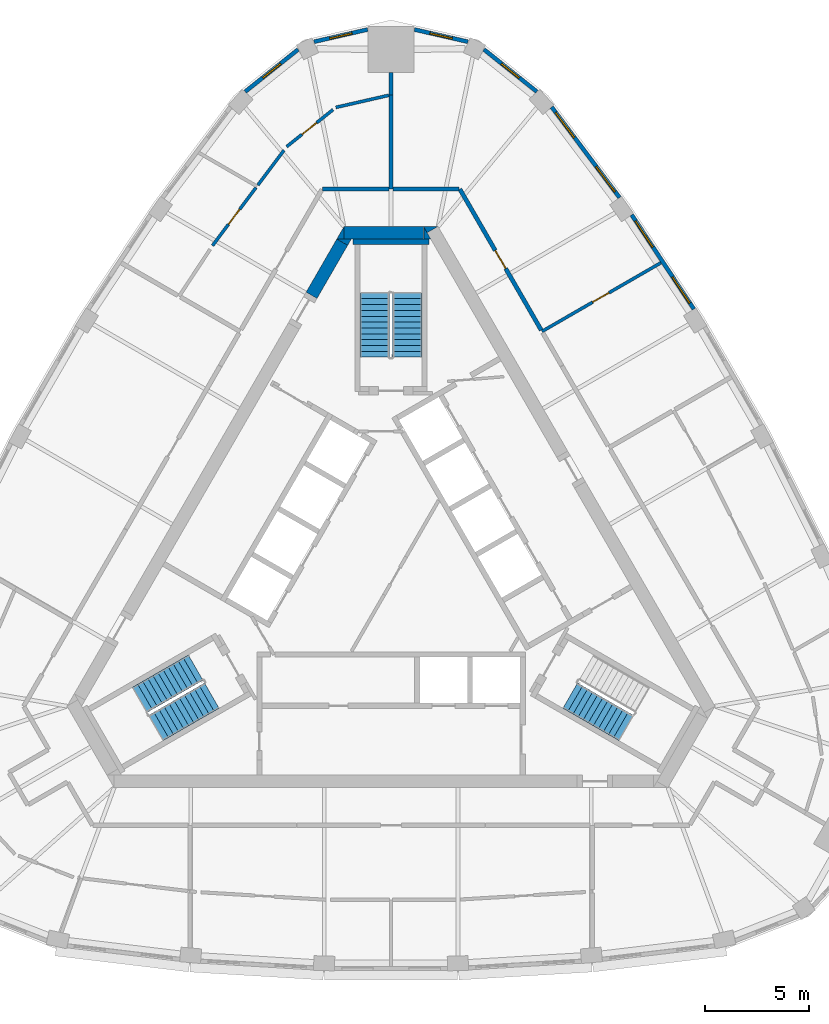
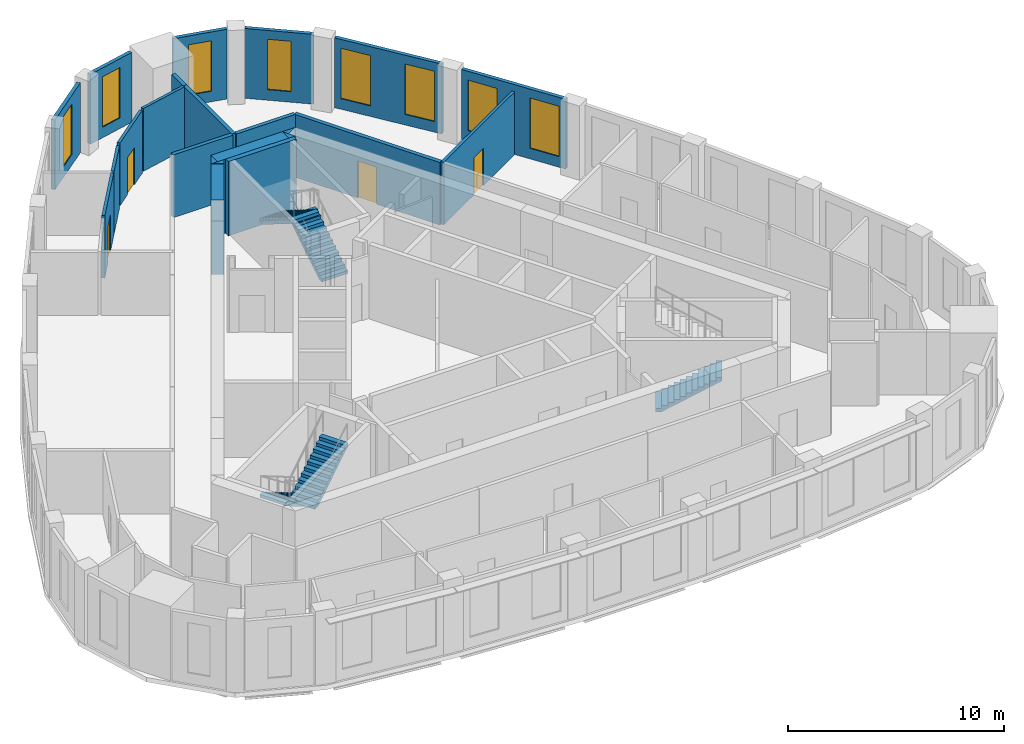
# One storey, part 8 of 10: 23 walls, 8 windows, 5 stair flights, 4 doors, 12 openings, 3 elements without a shape of their own.
"""IFC4 building model written with IfcOpenShell, lengths in metres."""

from ifc_helpers import new_model, si_unit, direction, frame, frame_2d, origin, place, context, subcontext, project, spatial, polyline, rectangle, outline, extrude, material, layer, layer_set, type_object, element, fill, aggregate, save


model = new_model("IFC4")

# Units and contexts
model_context = context("Model", 3, precision=1e-05, world=origin(), true_north=direction((0.0, 1.0)))
body_context = subcontext(model_context, "Body", "Model", "MODEL_VIEW")
ifc_project = project(units=[si_unit("LENGTHUNIT", "METRE"), si_unit("AREAUNIT", "SQUARE_METRE"), si_unit("VOLUMEUNIT", "CUBIC_METRE"), si_unit("PLANEANGLEUNIT", "RADIAN"), si_unit("MASSUNIT", "GRAM", prefix="KILO")], contexts=[model_context])

# Site, building, storey
site_placement = place(None, origin())
site = spatial("IfcSite", under=ifc_project, at=site_placement, CompositionType="ELEMENT")
building_placement = place(site_placement, origin())
building = spatial("IfcBuilding", under=site, at=building_placement, Name="Mestral Congress Tower", CompositionType="ELEMENT")
storey_placement = place(building_placement, frame((0.0, 0.0, 309.0)))
storey = spatial("IfcBuildingStorey", under=building, at=storey_placement, Name="L72", CompositionType="ELEMENT", Elevation=309.0)

# Walls
ifc_material_1 = material(Name="Concrete C60/75", Category="concrete")
ifc_layer_1 = layer(ifc_material_1, 0.60009765625)
ifc_layer_set_1 = layer_set([ifc_layer_1], Name="Concrete C60/75")
wall_type_1 = type_object("IfcWallType", Name="Core wall RC 600", PredefinedType="SOLIDWALL", material=ifc_layer_set_1)
placement = place(storey_placement, origin())
element("IfcWall", 1, at=placement, inside=storey, type_object=wall_type_1, Name="L72 core wall", PredefinedType="SOLIDWALL", context=body_context, shape_type="SweptSolid", body=[
    extrude(outline(polyline([(1.558837890625, 16.60009765625), (2.23486328125, 16.60009765625), (1.727783203125, 16.307373046875), (1.558837890625, 16.60009765625)])), origin(), (0.0, 0.0, 1.0), 4.199951171875),
])
wall_2_placement = place(storey_placement, frame((-2.258056640625, 16.300048828125, 0.0), z_axis=(0.0, 0.0, 1.0), x_axis=(1.0, 0.0, 0.0)))
element("IfcWall", 2, at=wall_2_placement, inside=storey, type_object=wall_type_1, Name="L72 core wall", PredefinedType="SOLIDWALL", context=body_context, shape_type="SweptSolid", body=[
    extrude(rectangle(XDim=3.8232421875, YDim=0.60009765625, at=frame_2d((1.91162109375, 0.0))), origin(), (0.0, 0.0, 1.0), 4.199951171875),
])
element("IfcWall", 3, at=placement, inside=storey, type_object=wall_type_1, Name="L72 core wall", PredefinedType="SOLIDWALL", context=body_context, shape_type="SweptSolid", body=[
    extrude(outline(polyline([(1.9052734375, 16.0), (1.5673828125, 16.0), (1.5673828125, 16.58544921875), (1.9052734375, 16.0)])), origin(), (0.0, 0.0, 1.0), 4.199951171875),
])
element("IfcWall", 4, at=placement, inside=storey, type_object=wall_type_1, Name="L72 core wall", PredefinedType="SOLIDWALL", context=body_context, shape_type="SweptSolid", body=[
    extrude(outline(polyline([(-2.59814453125, 16.0), (-2.260009765625, 16.58544921875), (-2.260009765625, 16.0), (-2.59814453125, 16.0)])), origin(), (0.0, 0.0, 1.0), 4.199951171875),
])
wall_5_placement = place(storey_placement, frame((-2.335205078125, 15.85546875, 0.0), z_axis=(0.0, 0.0, 1.0), x_axis=(-0.499960127962, -0.866048422692, 0.0)))
element("IfcWall", 5, at=wall_5_placement, inside=storey, type_object=wall_type_1, Name="L72 core wall", PredefinedType="SOLIDWALL", context=body_context, shape_type="SweptSolid", body=[
    extrude(rectangle(XDim=2.934326171875, YDim=0.60009765625, at=frame_2d((1.46728515625, 0.0))), origin(), (0.0, 0.0, 1.0), 4.199951171875),
])
element("IfcWall", 6, at=placement, inside=storey, type_object=wall_type_1, Name="L72 core wall", PredefinedType="SOLIDWALL", context=body_context, shape_type="SweptSolid", body=[
    extrude(outline(polyline([(-1.9052734375, 16.0), (-2.07421875, 15.707275390625), (-2.581298828125, 16.0), (-1.9052734375, 16.0)])), origin(), (0.0, 0.0, 1.0), 4.199951171875),
])

# Wall, openings, windows
ifc_material_2 = material(Name="Precast concrete C40/50 with limestone facing", Category="masonry")
ifc_layer_2 = layer(ifc_material_2, 0.18994140625)
ifc_layer_set_2 = layer_set([ifc_layer_2], Name="Precast concrete C40/50 with limestone facing")
wall_type_2 = type_object("IfcWallType", Name="Facade stone wall 190", PredefinedType="SOLIDWALL", material=ifc_layer_set_2)
wall_7_placement = place(storey_placement, frame((14.49560546875, 12.6533203125, 0.0), z_axis=(0.0, 0.0, 1.0), x_axis=(-0.550744054781, 0.83467417962, 0.0)))
wall_7 = element("IfcWall", 7, at=wall_7_placement, inside=storey, type_object=wall_type_2, Name="Facade wall F1-03", PredefinedType="SOLIDWALL", context=body_context, shape_type="SweptSolid", body=[
    extrude(rectangle(XDim=5.406005859375, YDim=0.18994140625, at=frame_2d((2.703125, 0.0))), origin(), (0.0, 0.0, 1.0), 3.949951171875),
])
opening_1_placement = place(wall_7_placement, frame((0.346435546875, 0.0, 0.60009765625)))
opening_1 = element("IfcOpeningElement", 8, at=opening_1_placement, cuts=wall_7, Name="Opening W6", PredefinedType="OPENING", context=body_context, shape_type="SweptSolid", body=[
    extrude(rectangle(XDim=1.5, YDim=2.85009765625, at=frame_2d((0.75, 1.425048828125))), frame((0.0, 0.10498046875, 0.0), z_axis=(0.0, -1.0, 0.0), x_axis=(1.0, 0.0, 0.0)), (0.0, 0.0, 1.0), 0.2099609375),
])
opening_2_placement = place(wall_7_placement, frame((3.559326171875, 0.0, 0.60009765625)))
opening_2 = element("IfcOpeningElement", 9, at=opening_2_placement, cuts=wall_7, Name="Opening W6", PredefinedType="OPENING", context=body_context, shape_type="SweptSolid", body=[
    extrude(rectangle(XDim=1.5, YDim=2.85009765625, at=frame_2d((0.75, 1.425048828125))), frame((0.0, 0.10498046875, 0.0), z_axis=(0.0, -1.0, 0.0), x_axis=(1.0, 0.0, 0.0)), (0.0, 0.0, 1.0), 0.2099609375),
])
ifc_material_3 = material(Name="Clear low-emissivity double glazing", Category="glass")
window_type_1 = type_object("IfcWindowType", Name="Facade punched window 1500 x 2850 sill 600", PartitioningType="SINGLE_PANEL", PredefinedType="WINDOW", material=ifc_material_3)
window_1_placement = place(opening_1_placement, origin())
window_1 = element("IfcWindow", 10, at=window_1_placement, inside=storey, type_object=window_type_1, Name="Window F1-03a", OverallHeight=2.85009765625, OverallWidth=1.5, PartitioningType="SINGLE_PANEL", PredefinedType="WINDOW", context=body_context, shape_type="SweptSolid", body=[
    extrude(rectangle(XDim=1.5, YDim=2.85009765625, at=frame_2d((0.75, 1.425048828125))), frame((0.0, 0.044921875, 0.0), z_axis=(0.0, -1.0, 0.0), x_axis=(1.0, 0.0, 0.0)), (0.0, 0.0, 1.0), 0.06005859375),
])
fill(opening_1, window_1)
window_2_placement = place(opening_2_placement, origin())
window_2 = element("IfcWindow", 11, at=window_2_placement, inside=storey, type_object=window_type_1, Name="Window F1-03b", OverallHeight=2.85009765625, OverallWidth=1.5, PartitioningType="SINGLE_PANEL", PredefinedType="WINDOW", context=body_context, shape_type="SweptSolid", body=[
    extrude(rectangle(XDim=1.5, YDim=2.85009765625, at=frame_2d((0.75, 1.425048828125))), frame((0.0, 0.044921875, 0.0), z_axis=(0.0, -1.0, 0.0), x_axis=(1.0, 0.0, 0.0)), (0.0, 0.0, 1.0), 0.06005859375),
])
fill(opening_2, window_2)

wall_8_placement = place(storey_placement, frame((10.938232421875, 17.989990234375, 0.0), z_axis=(0.0, 0.0, 1.0), x_axis=(-0.599559865294, 0.800329911929, 0.0)))
wall_8 = element("IfcWall", 12, at=wall_8_placement, inside=storey, type_object=wall_type_2, Name="Facade wall F1-04", PredefinedType="SOLIDWALL", context=body_context, shape_type="SweptSolid", body=[
    extrude(rectangle(XDim=5.4150390625, YDim=0.18994140625, at=frame_2d((2.70751953125, 0.0))), origin(), (0.0, 0.0, 1.0), 3.949951171875),
])
opening_3_placement = place(wall_8_placement, frame((0.357666015625, 0.0, 0.60009765625)))
opening_3 = element("IfcOpeningElement", 13, at=opening_3_placement, cuts=wall_8, Name="Opening W6", PredefinedType="OPENING", context=body_context, shape_type="SweptSolid", body=[
    extrude(rectangle(XDim=1.5, YDim=2.85009765625, at=frame_2d((0.75, 1.425048828125))), frame((0.0, 0.10498046875, 0.0), z_axis=(0.0, -1.0, 0.0), x_axis=(1.0, 0.0, 0.0)), (0.0, 0.0, 1.0), 0.2099609375),
])
opening_4_placement = place(wall_8_placement, frame((3.592529296875, 0.0, 0.60009765625)))
opening_4 = element("IfcOpeningElement", 14, at=opening_4_placement, cuts=wall_8, Name="Opening W6", PredefinedType="OPENING", context=body_context, shape_type="SweptSolid", body=[
    extrude(rectangle(XDim=1.5, YDim=2.85009765625, at=frame_2d((0.75, 1.425048828125))), frame((0.0, 0.10498046875, 0.0), z_axis=(0.0, -1.0, 0.0), x_axis=(1.0, 0.0, 0.0)), (0.0, 0.0, 1.0), 0.2099609375),
])
window_3_placement = place(opening_3_placement, origin())
window_3 = element("IfcWindow", 15, at=window_3_placement, inside=storey, type_object=window_type_1, Name="Window F1-04a", OverallHeight=2.85009765625, OverallWidth=1.5, PartitioningType="SINGLE_PANEL", PredefinedType="WINDOW", context=body_context, shape_type="SweptSolid", body=[
    extrude(rectangle(XDim=1.5, YDim=2.85009765625, at=frame_2d((0.75, 1.425048828125))), frame((0.0, 0.044921875, 0.0), z_axis=(0.0, -1.0, 0.0), x_axis=(1.0, 0.0, 0.0)), (0.0, 0.0, 1.0), 0.06005859375),
])
fill(opening_3, window_3)
window_4_placement = place(opening_4_placement, origin())
window_4 = element("IfcWindow", 16, at=window_4_placement, inside=storey, type_object=window_type_1, Name="Window F1-04b", OverallHeight=2.85009765625, OverallWidth=1.5, PartitioningType="SINGLE_PANEL", PredefinedType="WINDOW", context=body_context, shape_type="SweptSolid", body=[
    extrude(rectangle(XDim=1.5, YDim=2.85009765625, at=frame_2d((0.75, 1.425048828125))), frame((0.0, 0.044921875, 0.0), z_axis=(0.0, -1.0, 0.0), x_axis=(1.0, 0.0, 0.0)), (0.0, 0.0, 1.0), 0.06005859375),
])
fill(opening_4, window_4)

# Wall, opening, window
wall_9_placement = place(storey_placement, frame((6.977294921875, 23.061279296875, 0.0), z_axis=(0.0, 0.0, 1.0), x_axis=(-0.781626234064, 0.623747088349, 0.0)))
wall_9 = element("IfcWall", 17, at=wall_9_placement, inside=storey, type_object=wall_type_2, Name="Facade wall K1-0", PredefinedType="SOLIDWALL", context=body_context, shape_type="SweptSolid", body=[
    extrude(rectangle(XDim=3.236572265625, YDim=0.18994140625, at=frame_2d((1.6181640625, 0.0))), origin(), (0.0, 0.0, 1.0), 3.949951171875),
])
opening_5_placement = place(wall_9_placement, frame((1.068359375, 0.0, 0.60009765625)))
opening_5 = element("IfcOpeningElement", 18, at=opening_5_placement, cuts=wall_9, Name="Opening W7", PredefinedType="OPENING", context=body_context, shape_type="SweptSolid", body=[
    extrude(rectangle(XDim=1.10009765625, YDim=2.85009765625, at=frame_2d((0.550048828125, 1.425048828125))), frame((0.0, 0.10498046875, 0.0), z_axis=(0.0, -1.0, 0.0), x_axis=(1.0, 0.0, 0.0)), (0.0, 0.0, 1.0), 0.2099609375),
])
window_type_2 = type_object("IfcWindowType", Name="Facade punched window 1100 x 2850 sill 600", PartitioningType="SINGLE_PANEL", PredefinedType="WINDOW", material=ifc_material_3)
window_5_placement = place(opening_5_placement, origin())
window_5 = element("IfcWindow", 19, at=window_5_placement, inside=storey, type_object=window_type_2, Name="Window K1-0", OverallHeight=2.85009765625, OverallWidth=1.10009765625, PartitioningType="SINGLE_PANEL", PredefinedType="WINDOW", context=body_context, shape_type="SweptSolid", body=[
    extrude(rectangle(XDim=1.10009765625, YDim=2.85009765625, at=frame_2d((0.550048828125, 1.425048828125))), frame((0.0, 0.044921875, 0.0), z_axis=(0.0, -1.0, 0.0), x_axis=(1.0, 0.0, 0.0)), (0.0, 0.0, 1.0), 0.06005859375),
])
fill(opening_5, window_5)

wall_10_placement = place(storey_placement, frame((3.6826171875, 25.44873046875, 0.0), z_axis=(0.0, 0.0, 1.0), x_axis=(-0.974913273386, 0.222585060988, 0.0)))
wall_10 = element("IfcWall", 20, at=wall_10_placement, inside=storey, type_object=wall_type_2, Name="Facade wall K1-1", PredefinedType="SOLIDWALL", context=body_context, shape_type="SweptSolid", body=[
    extrude(rectangle(XDim=2.626953125, YDim=0.18994140625, at=frame_2d((1.3134765625, 0.0))), origin(), (0.0, 0.0, 1.0), 3.949951171875),
])
opening_6_placement = place(wall_10_placement, frame((0.763427734375, 0.0, 0.60009765625)))
opening_6 = element("IfcOpeningElement", 21, at=opening_6_placement, cuts=wall_10, Name="Opening W7", PredefinedType="OPENING", context=body_context, shape_type="SweptSolid", body=[
    extrude(rectangle(XDim=1.10009765625, YDim=2.85009765625, at=frame_2d((0.550048828125, 1.425048828125))), frame((0.0, 0.10498046875, 0.0), z_axis=(0.0, -1.0, 0.0), x_axis=(1.0, 0.0, 0.0)), (0.0, 0.0, 1.0), 0.2099609375),
])
window_6_placement = place(opening_6_placement, origin())
window_6 = element("IfcWindow", 22, at=window_6_placement, inside=storey, type_object=window_type_2, Name="Window K1-1", OverallHeight=2.85009765625, OverallWidth=1.10009765625, PartitioningType="SINGLE_PANEL", PredefinedType="WINDOW", context=body_context, shape_type="SweptSolid", body=[
    extrude(rectangle(XDim=1.10009765625, YDim=2.85009765625, at=frame_2d((0.550048828125, 1.425048828125))), frame((0.0, 0.044921875, 0.0), z_axis=(0.0, -1.0, 0.0), x_axis=(1.0, 0.0, 0.0)), (0.0, 0.0, 1.0), 0.06005859375),
])
fill(opening_6, window_6)

wall_11_placement = place(storey_placement, frame((-1.12158203125, 26.033447265625, 0.0), z_axis=(0.0, 0.0, 1.0), x_axis=(-0.974913273386, -0.222585060988, 0.0)))
wall_11 = element("IfcWall", 23, at=wall_11_placement, inside=storey, type_object=wall_type_2, Name="Facade wall K1-2", PredefinedType="SOLIDWALL", context=body_context, shape_type="SweptSolid", body=[
    extrude(rectangle(XDim=2.626953125, YDim=0.18994140625, at=frame_2d((1.3134765625, 0.0))), origin(), (0.0, 0.0, 1.0), 3.949951171875),
])
opening_7_placement = place(wall_11_placement, frame((0.763427734375, 0.0, 0.60009765625)))
opening_7 = element("IfcOpeningElement", 24, at=opening_7_placement, cuts=wall_11, Name="Opening W7", PredefinedType="OPENING", context=body_context, shape_type="SweptSolid", body=[
    extrude(rectangle(XDim=1.10009765625, YDim=2.85009765625, at=frame_2d((0.550048828125, 1.425048828125))), frame((0.0, 0.10498046875, 0.0), z_axis=(0.0, -1.0, 0.0), x_axis=(1.0, 0.0, 0.0)), (0.0, 0.0, 1.0), 0.2099609375),
])
window_7_placement = place(opening_7_placement, origin())
window_7 = element("IfcWindow", 25, at=window_7_placement, inside=storey, type_object=window_type_2, Name="Window K1-2", OverallHeight=2.85009765625, OverallWidth=1.10009765625, PartitioningType="SINGLE_PANEL", PredefinedType="WINDOW", context=body_context, shape_type="SweptSolid", body=[
    extrude(rectangle(XDim=1.10009765625, YDim=2.85009765625, at=frame_2d((0.550048828125, 1.425048828125))), frame((0.0, 0.044921875, 0.0), z_axis=(0.0, -1.0, 0.0), x_axis=(1.0, 0.0, 0.0)), (0.0, 0.0, 1.0), 0.06005859375),
])
fill(opening_7, window_7)

wall_12_placement = place(storey_placement, frame((-4.447509765625, 25.080078125, 0.0), z_axis=(0.0, 0.0, 1.0), x_axis=(-0.781626234064, -0.623747088349, 0.0)))
wall_12 = element("IfcWall", 26, at=wall_12_placement, inside=storey, type_object=wall_type_2, Name="Facade wall K1-3", PredefinedType="SOLIDWALL", context=body_context, shape_type="SweptSolid", body=[
    extrude(rectangle(XDim=3.236572265625, YDim=0.18994140625, at=frame_2d((1.6181640625, 0.0))), origin(), (0.0, 0.0, 1.0), 3.949951171875),
])
opening_8_placement = place(wall_12_placement, frame((1.068359375, 0.0, 0.60009765625)))
opening_8 = element("IfcOpeningElement", 27, at=opening_8_placement, cuts=wall_12, Name="Opening W7", PredefinedType="OPENING", context=body_context, shape_type="SweptSolid", body=[
    extrude(rectangle(XDim=1.10009765625, YDim=2.85009765625, at=frame_2d((0.550048828125, 1.425048828125))), frame((0.0, 0.10498046875, 0.0), z_axis=(0.0, -1.0, 0.0), x_axis=(1.0, 0.0, 0.0)), (0.0, 0.0, 1.0), 0.2099609375),
])
window_8_placement = place(opening_8_placement, origin())
window_8 = element("IfcWindow", 28, at=window_8_placement, inside=storey, type_object=window_type_2, Name="Window K1-3", OverallHeight=2.85009765625, OverallWidth=1.10009765625, PartitioningType="SINGLE_PANEL", PredefinedType="WINDOW", context=body_context, shape_type="SweptSolid", body=[
    extrude(rectangle(XDim=1.10009765625, YDim=2.85009765625, at=frame_2d((0.550048828125, 1.425048828125))), frame((0.0, 0.044921875, 0.0), z_axis=(0.0, -1.0, 0.0), x_axis=(1.0, 0.0, 0.0)), (0.0, 0.0, 1.0), 0.06005859375),
])
fill(opening_8, window_8)

# Wall, opening, door
ifc_material_4 = material(Name="Plasterboard partition on steel studs", Category="steel")
ifc_layer_3 = layer(ifc_material_4, 0.14990234375)
ifc_layer_set_3 = layer_set([ifc_layer_3], Name="Plasterboard partition on steel studs")
wall_type_3 = type_object("IfcWallType", Name="Office partition 150", PredefinedType="PARTITIONING", material=ifc_layer_set_3)
wall_13_placement = place(storey_placement, frame((12.91796875, 14.87158203125, 0.0), z_axis=(0.0, 0.0, 1.0), x_axis=(-0.866033427365, -0.499986102494, 0.0)))
wall_13 = element("IfcWall", 29, at=wall_13_placement, inside=storey, type_object=wall_type_3, Name="Partition", PredefinedType="PARTITIONING", context=body_context, shape_type="SweptSolid", body=[
    extrude(rectangle(XDim=6.572998046875, YDim=0.14990234375, at=frame_2d((3.28662109375, 0.0))), origin(), (0.0, 0.0, 1.0), 3.550048828125),
])
opening_9_placement = place(wall_13_placement, frame((2.873046875, 0.0, 0.0)))
opening_9 = element("IfcOpeningElement", 30, at=opening_9_placement, cuts=wall_13, Name="Opening O14-009", PredefinedType="OPENING", context=body_context, shape_type="SweptSolid", body=[
    extrude(rectangle(XDim=0.89990234375, YDim=2.10009765625, at=frame_2d((0.449951171875, 1.050048828125))), frame((0.0, 0.0849609375, 0.0), z_axis=(0.0, -1.0, 0.0), x_axis=(1.0, 0.0, 0.0)), (0.0, 0.0, 1.0), 0.169921875),
])
ifc_material_5 = material(Name="Timber door set", Category="wood")
door_type_1 = type_object("IfcDoorType", Name="Office door 900x2100", OperationType="SINGLE_SWING_LEFT", PredefinedType="DOOR", material=ifc_material_5)
door_1_placement = place(opening_9_placement, origin())
door_1 = element("IfcDoor", 31, at=door_1_placement, inside=storey, type_object=door_type_1, Name="Door O14-009", OperationType="SINGLE_SWING_RIGHT", OverallHeight=2.10009765625, OverallWidth=0.89990234375, PredefinedType="DOOR", context=body_context, shape_type="SweptSolid", body=[
    extrude(rectangle(XDim=0.89990234375, YDim=2.10009765625, at=frame_2d((0.449951171875, 1.050048828125))), frame((0.0, 0.02490234375, 0.0), z_axis=(0.0, -1.0, 0.0), x_axis=(1.0, 0.0, 0.0)), (0.0, 0.0, 1.0), 0.050048828125),
])
fill(opening_9, door_1)

# Wall
wall_14_placement = place(storey_placement, frame((-0.10009765625, 22.886962890625, 0.0), z_axis=(0.0, 0.0, 1.0), x_axis=(-0.974895716418, -0.222661945805, 0.0)))
element("IfcWall", 32, at=wall_14_placement, inside=storey, type_object=wall_type_3, Name="Partition", PredefinedType="PARTITIONING", context=body_context, shape_type="SweptSolid", body=[
    extrude(rectangle(XDim=2.605224609375, YDim=0.14990234375, at=frame_2d((1.302734375, 0.0))), origin(), (0.0, 0.0, 1.0), 3.550048828125),
])

# Wall, opening, door
wall_15_placement = place(storey_placement, frame((-4.995361328125, 20.42724609375, 0.0), z_axis=(0.0, 0.0, 1.0), x_axis=(0.781622833459, 0.62375134967, 0.0)))
wall_15 = element("IfcWall", 33, at=wall_15_placement, inside=storey, type_object=wall_type_3, Name="Partition", PredefinedType="PARTITIONING", context=body_context, shape_type="SweptSolid", body=[
    extrude(rectangle(XDim=2.8408203125, YDim=0.14990234375, at=frame_2d((1.42041015625, 0.0))), origin(), (0.0, 0.0, 1.0), 3.550048828125),
])
opening_10_placement = place(wall_15_placement, frame((0.940673828125, 0.0, 0.0)))
opening_10 = element("IfcOpeningElement", 34, at=opening_10_placement, cuts=wall_15, Name="Opening O14-011", PredefinedType="OPENING", context=body_context, shape_type="SweptSolid", body=[
    extrude(rectangle(XDim=0.89990234375, YDim=2.10009765625, at=frame_2d((0.449951171875, 1.050048828125))), frame((0.0, 0.0849609375, 0.0), z_axis=(0.0, -1.0, 0.0), x_axis=(1.0, 0.0, 0.0)), (0.0, 0.0, 1.0), 0.169921875),
])
door_2_placement = place(opening_10_placement, origin())
door_2 = element("IfcDoor", 35, at=door_2_placement, inside=storey, type_object=door_type_1, Name="Door O14-011", OperationType="SINGLE_SWING_LEFT", OverallHeight=2.10009765625, OverallWidth=0.89990234375, PredefinedType="DOOR", context=body_context, shape_type="SweptSolid", body=[
    extrude(rectangle(XDim=0.89990234375, YDim=2.10009765625, at=frame_2d((0.449951171875, 1.050048828125))), frame((0.0, 0.02490234375, 0.0), z_axis=(0.0, -1.0, 0.0), x_axis=(1.0, 0.0, 0.0)), (0.0, 0.0, 1.0), 0.050048828125),
])
fill(opening_10, door_2)

# Wall
wall_16_placement = place(storey_placement, frame((-5.123779296875, 20.255859375, 0.0), z_axis=(0.0, 0.0, 1.0), x_axis=(-0.599549274705, -0.800337845663, 0.0)))
element("IfcWall", 36, at=wall_16_placement, inside=storey, type_object=wall_type_3, Name="Partition", PredefinedType="PARTITIONING", context=body_context, shape_type="SweptSolid", body=[
    extrude(rectangle(XDim=2.080322265625, YDim=0.14990234375, at=frame_2d((1.0400390625, 0.0))), origin(), (0.0, 0.0, 1.0), 3.550048828125),
])

# Wall, opening, door
wall_17_placement = place(storey_placement, frame((-8.54443359375, 15.689697265625, 0.0), z_axis=(0.0, 0.0, 1.0), x_axis=(0.599538824769, 0.800345673815, 0.0)))
wall_17 = element("IfcWall", 37, at=wall_17_placement, inside=storey, type_object=wall_type_3, Name="Partition", PredefinedType="PARTITIONING", context=body_context, shape_type="SweptSolid", body=[
    extrude(rectangle(XDim=3.4736328125, YDim=0.14990234375, at=frame_2d((1.73681640625, 0.0))), origin(), (0.0, 0.0, 1.0), 3.550048828125),
])
opening_11_placement = place(wall_17_placement, frame((1.273681640625, 0.0, 0.0)))
opening_11 = element("IfcOpeningElement", 38, at=opening_11_placement, cuts=wall_17, Name="Opening O14-012", PredefinedType="OPENING", context=body_context, shape_type="SweptSolid", body=[
    extrude(rectangle(XDim=0.89990234375, YDim=2.10009765625, at=frame_2d((0.449951171875, 1.050048828125))), frame((0.0, 0.0849609375, 0.0), z_axis=(0.0, -1.0, 0.0), x_axis=(1.0, 0.0, 0.0)), (0.0, 0.0, 1.0), 0.169921875),
])
door_3_placement = place(opening_11_placement, origin())
door_3 = element("IfcDoor", 39, at=door_3_placement, inside=storey, type_object=door_type_1, Name="Door O14-012", OperationType="SINGLE_SWING_LEFT", OverallHeight=2.10009765625, OverallWidth=0.89990234375, PredefinedType="DOOR", context=body_context, shape_type="SweptSolid", body=[
    extrude(rectangle(XDim=0.89990234375, YDim=2.10009765625, at=frame_2d((0.449951171875, 1.050048828125))), frame((0.0, 0.02490234375, 0.0), z_axis=(0.0, -1.0, 0.0), x_axis=(1.0, 0.0, 0.0)), (0.0, 0.0, 1.0), 0.050048828125),
])
fill(opening_11, door_3)

# Walls
ifc_material_6 = material(Name="Dense masonry wall, plastered", Category="masonry")
ifc_layer_4 = layer(ifc_material_6, 0.199951171875)
ifc_layer_set_4 = layer_set([ifc_layer_4], Name="Dense masonry wall, plastered")
wall_type_4 = type_object("IfcWallType", Name="Office tenancy wall 200", PredefinedType="PARTITIONING", material=ifc_layer_set_4)
wall_18_placement = place(storey_placement, frame((0.0, 22.90576171875, 0.0), z_axis=(0.0, 0.0, 1.0), x_axis=(0.0, 1.0, 0.0)))
element("IfcWall", 40, at=wall_18_placement, inside=storey, type_object=wall_type_4, Name="Tenancy wall", PredefinedType="PARTITIONING", context=body_context, shape_type="SweptSolid", body=[
    extrude(rectangle(XDim=1.072265625, YDim=0.199951171875, at=frame_2d((0.5361328125, 0.0))), origin(), (0.0, 0.0, 1.0), 3.550048828125),
])
wall_19_placement = place(storey_placement, frame((0.0, 18.39990234375, 0.0), z_axis=(0.0, 0.0, 1.0), x_axis=(0.0, 1.0, 0.0)))
element("IfcWall", 41, at=wall_19_placement, inside=storey, type_object=wall_type_4, Name="Tenancy wall", PredefinedType="PARTITIONING", context=body_context, shape_type="SweptSolid", body=[
    extrude(rectangle(XDim=4.513916015625, YDim=0.199951171875, at=frame_2d((2.2568359375, 0.0))), origin(), (0.0, 0.0, 1.0), 3.550048828125),
])

# Wall, opening, door
wall_20_placement = place(storey_placement, frame((7.18798828125, 11.64990234375, 0.0), z_axis=(0.0, 0.0, 1.0), x_axis=(-0.499986368499, 0.866033273792, 0.0)))
wall_20 = element("IfcWall", 42, at=wall_20_placement, inside=storey, type_object=wall_type_4, Name="Tenancy wall", PredefinedType="PARTITIONING", context=body_context, shape_type="SweptSolid", body=[
    extrude(rectangle(XDim=7.794189453125, YDim=0.199951171875, at=frame_2d((3.89697265625, 0.0))), origin(), (0.0, 0.0, 1.0), 3.550048828125),
])
opening_12_placement = place(wall_20_placement, frame((3.39990234375, 0.0, 0.0)))
opening_12 = element("IfcOpeningElement", 43, at=opening_12_placement, cuts=wall_20, Name="Opening O14-010", PredefinedType="OPENING", context=body_context, shape_type="SweptSolid", body=[
    extrude(rectangle(XDim=1.0, YDim=2.10009765625, at=frame_2d((0.5, 1.050048828125))), frame((0.0, 0.10986328125, 0.0), z_axis=(0.0, -1.0, 0.0), x_axis=(1.0, 0.0, 0.0)), (0.0, 0.0, 1.0), 0.219970703125),
])
ifc_material_7 = material(Name="Fire-rated timber door set", Category="wood")
door_type_2 = type_object("IfcDoorType", Name="Office tenancy entrance door 1000x2100", OperationType="SINGLE_SWING_LEFT", PredefinedType="DOOR", material=ifc_material_7)
door_4_placement = place(opening_12_placement, origin())
door_4 = element("IfcDoor", 44, at=door_4_placement, inside=storey, type_object=door_type_2, Name="Door O14-010", OperationType="SINGLE_SWING_RIGHT", OverallHeight=2.10009765625, OverallWidth=1.0, PredefinedType="DOOR", context=body_context, shape_type="SweptSolid", body=[
    extrude(rectangle(XDim=1.0, YDim=2.10009765625, at=frame_2d((0.5, 1.050048828125))), frame((0.0, 0.02490234375, 0.0), z_axis=(0.0, -1.0, 0.0), x_axis=(1.0, 0.0, 0.0)), (0.0, 0.0, 1.0), 0.050048828125),
])
fill(opening_12, door_4)

# Walls
wall_21_placement = place(storey_placement, frame((3.260986328125, 18.39990234375, 0.0), z_axis=(0.0, 0.0, 1.0), x_axis=(-1.0, 0.0, 0.0)))
element("IfcWall", 45, at=wall_21_placement, inside=storey, type_object=wall_type_4, Name="Tenancy wall", PredefinedType="PARTITIONING", context=body_context, shape_type="SweptSolid", body=[
    extrude(rectangle(XDim=3.160888671875, YDim=0.199951171875, at=frame_2d((1.58056640625, 0.0))), origin(), (0.0, 0.0, 1.0), 3.550048828125),
])
wall_22_placement = place(storey_placement, frame((-0.10009765625, 18.39990234375, 0.0), z_axis=(0.0, 0.0, 1.0), x_axis=(-1.0, 0.0, 0.0)))
element("IfcWall", 46, at=wall_22_placement, inside=storey, type_object=wall_type_4, Name="Tenancy wall", PredefinedType="PARTITIONING", context=body_context, shape_type="SweptSolid", body=[
    extrude(rectangle(XDim=3.19091796875, YDim=0.199951171875, at=frame_2d((1.595458984375, 0.0))), origin(), (0.0, 0.0, 1.0), 3.550048828125),
])
ifc_layer_5 = layer(ifc_material_1, 0.25)
ifc_layer_set_5 = layer_set([ifc_layer_5], Name="Concrete C60/75")
wall_type_5 = type_object("IfcWallType", Name="Stair wall RC 250", PredefinedType="SOLIDWALL", material=ifc_layer_set_5)
wall_23_placement = place(storey_placement, frame((-1.81689453125, 15.875, 0.0), z_axis=(0.0, 0.0, 1.0), x_axis=(1.0, 0.0, 0.0)))
element("IfcWall", 47, at=wall_23_placement, inside=storey, type_object=wall_type_5, Name="L72 core wall", PredefinedType="SOLIDWALL", context=body_context, shape_type="SweptSolid", body=[
    extrude(rectangle(XDim=3.6337890625, YDim=0.25, at=frame_2d((1.81689453125, 0.0))), origin(), (0.0, 0.0, 1.0), 4.199951171875),
])

# Stair, stair flight
stair_type = type_object("IfcStairType", Name="Exit stair 1400", PredefinedType="HALF_TURN_STAIR", material=ifc_material_1)
stair_1 = element("IfcStair", 48, at=placement, inside=storey, type_object=stair_type, Name="L72 ST1", PredefinedType="HALF_TURN_STAIR")
stair_flight_type = type_object("IfcStairFlightType", Name="Exit stair flight 1400", PredefinedType="STRAIGHT", material=ifc_material_1)
stair_flight_1_placement = place(storey_placement, frame((8.575927734375, -5.84619140625, 0.0), z_axis=(0.0, 0.0, 1.0), x_axis=(0.866025403784, -0.5, 0.0)))
stair_flight_1 = element("IfcStairFlight", 49, at=stair_flight_1_placement, type_object=stair_flight_type, Name="ST1 flight 1", NumberOfRisers=12, NumberOfTreads=11, PredefinedType="STRAIGHT", RiserHeight=0.175, TreadLength=0.28, context=body_context, shape_type="SweptSolid", body=[
    extrude(outline(polyline([(0.0, 0.0), (0.0, 0.175048828125), (0.280029296875, 0.175048828125), (0.280029296875, 0.35009765625), (0.56005859375, 0.35009765625), (0.56005859375, 0.52490234375), (0.840087890625, 0.52490234375), (0.840087890625, 0.699951171875), (1.1201171875, 0.699951171875), (1.1201171875, 0.875), (1.39990234375, 0.875), (1.39990234375, 1.050048828125), (1.679931640625, 1.050048828125), (1.679931640625, 1.22509765625), (1.9599609375, 1.22509765625), (1.9599609375, 1.39990234375), (2.239990234375, 1.39990234375), (2.239990234375, 1.574951171875), (2.52001953125, 1.574951171875), (2.52001953125, 1.75), (2.800048828125, 1.75), (2.800048828125, 1.925048828125), (3.080078125, 1.925048828125), (3.080078125, 2.10009765625), (3.080078125, 1.748291015625), (0.28271484375, 0.0), (0.0, 0.0)])), frame((0.0, 0.699951171875, 0.0), z_axis=(0.0, -1.0, 0.0), x_axis=(1.0, 0.0, 0.0)), (0.0, 0.0, 1.0), 1.39990234375),
])
aggregate(stair_1, [stair_flight_1])

# Stair, stair flights
stair_2 = element("IfcStair", 50, at=placement, inside=storey, type_object=stair_type, Name="L72 ST2", PredefinedType="HALF_TURN_STAIR")
stair_flight_2_placement = place(storey_placement, frame((0.77490234375, 10.35009765625, 0.0), z_axis=(0.0, 0.0, 1.0), x_axis=(0.0, 1.0, 0.0)))
stair_flight_2 = element("IfcStairFlight", 51, at=stair_flight_2_placement, type_object=stair_flight_type, Name="ST2 flight 1", NumberOfRisers=12, NumberOfTreads=11, PredefinedType="STRAIGHT", RiserHeight=0.175, TreadLength=0.28, context=body_context, shape_type="SweptSolid", body=[
    extrude(outline(polyline([(0.0, 0.0), (0.0, 0.175048828125), (0.280029296875, 0.175048828125), (0.280029296875, 0.35009765625), (0.56005859375, 0.35009765625), (0.56005859375, 0.52490234375), (0.840087890625, 0.52490234375), (0.840087890625, 0.699951171875), (1.1201171875, 0.699951171875), (1.1201171875, 0.875), (1.39990234375, 0.875), (1.39990234375, 1.050048828125), (1.679931640625, 1.050048828125), (1.679931640625, 1.22509765625), (1.9599609375, 1.22509765625), (1.9599609375, 1.39990234375), (2.239990234375, 1.39990234375), (2.239990234375, 1.574951171875), (2.52001953125, 1.574951171875), (2.52001953125, 1.75), (2.800048828125, 1.75), (2.800048828125, 1.925048828125), (3.080078125, 1.925048828125), (3.080078125, 2.10009765625), (3.080078125, 1.748291015625), (0.28271484375, 0.0), (0.0, 0.0)])), frame((0.0, 0.699951171875, 0.0), z_axis=(0.0, -1.0, 0.0), x_axis=(1.0, 0.0, 0.0)), (0.0, 0.0, 1.0), 1.39990234375),
])
stair_flight_3_placement = place(storey_placement, frame((-0.77490234375, 13.429931640625, 2.10009765625), z_axis=(0.0, 0.0, 1.0), x_axis=(0.0, -1.0, 0.0)))
stair_flight_3 = element("IfcStairFlight", 52, at=stair_flight_3_placement, type_object=stair_flight_type, Name="ST2 flight 2", NumberOfRisers=12, NumberOfTreads=11, PredefinedType="STRAIGHT", RiserHeight=0.175, TreadLength=0.28, context=body_context, shape_type="SweptSolid", body=[
    extrude(outline(polyline([(0.0, 0.0), (0.0, 0.175048828125), (0.280029296875, 0.175048828125), (0.280029296875, 0.35009765625), (0.56005859375, 0.35009765625), (0.56005859375, 0.52490234375), (0.840087890625, 0.52490234375), (0.840087890625, 0.699951171875), (1.1201171875, 0.699951171875), (1.1201171875, 0.875), (1.39990234375, 0.875), (1.39990234375, 1.050048828125), (1.679931640625, 1.050048828125), (1.679931640625, 1.22509765625), (1.9599609375, 1.22509765625), (1.9599609375, 1.39990234375), (2.239990234375, 1.39990234375), (2.239990234375, 1.574951171875), (2.52001953125, 1.574951171875), (2.52001953125, 1.75), (2.800048828125, 1.75), (2.800048828125, 1.925048828125), (3.080078125, 1.925048828125), (3.080078125, 2.10009765625), (3.080078125, 1.748291015625), (0.28271484375, 0.0), (0.0, 0.0)])), frame((0.0, 0.699951171875, 0.0), z_axis=(0.0, -1.0, 0.0), x_axis=(1.0, 0.0, 0.0)), (0.0, 0.0, 1.0), 1.39990234375),
])
aggregate(stair_2, [stair_flight_2, stair_flight_3])

stair_3 = element("IfcStair", 53, at=placement, inside=storey, type_object=stair_type, Name="L72 ST3", PredefinedType="HALF_TURN_STAIR")
stair_flight_4_placement = place(storey_placement, frame((-9.350830078125, -4.50390625, 0.0), z_axis=(0.0, 0.0, 1.0), x_axis=(-0.866025403784, -0.5, 0.0)))
stair_flight_4 = element("IfcStairFlight", 54, at=stair_flight_4_placement, type_object=stair_flight_type, Name="ST3 flight 1", NumberOfRisers=12, NumberOfTreads=11, PredefinedType="STRAIGHT", RiserHeight=0.175, TreadLength=0.28, context=body_context, shape_type="SweptSolid", body=[
    extrude(outline(polyline([(0.0, 0.0), (0.0, 0.175048828125), (0.280029296875, 0.175048828125), (0.280029296875, 0.35009765625), (0.56005859375, 0.35009765625), (0.56005859375, 0.52490234375), (0.840087890625, 0.52490234375), (0.840087890625, 0.699951171875), (1.1201171875, 0.699951171875), (1.1201171875, 0.875), (1.39990234375, 0.875), (1.39990234375, 1.050048828125), (1.679931640625, 1.050048828125), (1.679931640625, 1.22509765625), (1.9599609375, 1.22509765625), (1.9599609375, 1.39990234375), (2.239990234375, 1.39990234375), (2.239990234375, 1.574951171875), (2.52001953125, 1.574951171875), (2.52001953125, 1.75), (2.800048828125, 1.75), (2.800048828125, 1.925048828125), (3.080078125, 1.925048828125), (3.080078125, 2.10009765625), (3.080078125, 1.748291015625), (0.28271484375, 0.0), (0.0, 0.0)])), frame((0.0, 0.699951171875, 0.0), z_axis=(0.0, -1.0, 0.0), x_axis=(1.0, 0.0, 0.0)), (0.0, 0.0, 1.0), 1.39990234375),
])
stair_flight_5_placement = place(storey_placement, frame((-11.2431640625, -7.38623046875, 2.10009765625), z_axis=(0.0, 0.0, 1.0), x_axis=(0.866025403784, 0.5, 0.0)))
stair_flight_5 = element("IfcStairFlight", 55, at=stair_flight_5_placement, type_object=stair_flight_type, Name="ST3 flight 2", NumberOfRisers=12, NumberOfTreads=11, PredefinedType="STRAIGHT", RiserHeight=0.175, TreadLength=0.28, context=body_context, shape_type="SweptSolid", body=[
    extrude(outline(polyline([(0.0, 0.0), (0.0, 0.175048828125), (0.280029296875, 0.175048828125), (0.280029296875, 0.35009765625), (0.56005859375, 0.35009765625), (0.56005859375, 0.52490234375), (0.840087890625, 0.52490234375), (0.840087890625, 0.699951171875), (1.1201171875, 0.699951171875), (1.1201171875, 0.875), (1.39990234375, 0.875), (1.39990234375, 1.050048828125), (1.679931640625, 1.050048828125), (1.679931640625, 1.22509765625), (1.9599609375, 1.22509765625), (1.9599609375, 1.39990234375), (2.239990234375, 1.39990234375), (2.239990234375, 1.574951171875), (2.52001953125, 1.574951171875), (2.52001953125, 1.75), (2.800048828125, 1.75), (2.800048828125, 1.925048828125), (3.080078125, 1.925048828125), (3.080078125, 2.10009765625), (3.080078125, 1.748291015625), (0.28271484375, 0.0), (0.0, 0.0)])), frame((0.0, 0.699951171875, 0.0), z_axis=(0.0, -1.0, 0.0), x_axis=(1.0, 0.0, 0.0)), (0.0, 0.0, 1.0), 1.39990234375),
])
aggregate(stair_3, [stair_flight_4, stair_flight_5])

save(model, "model.ifc")
